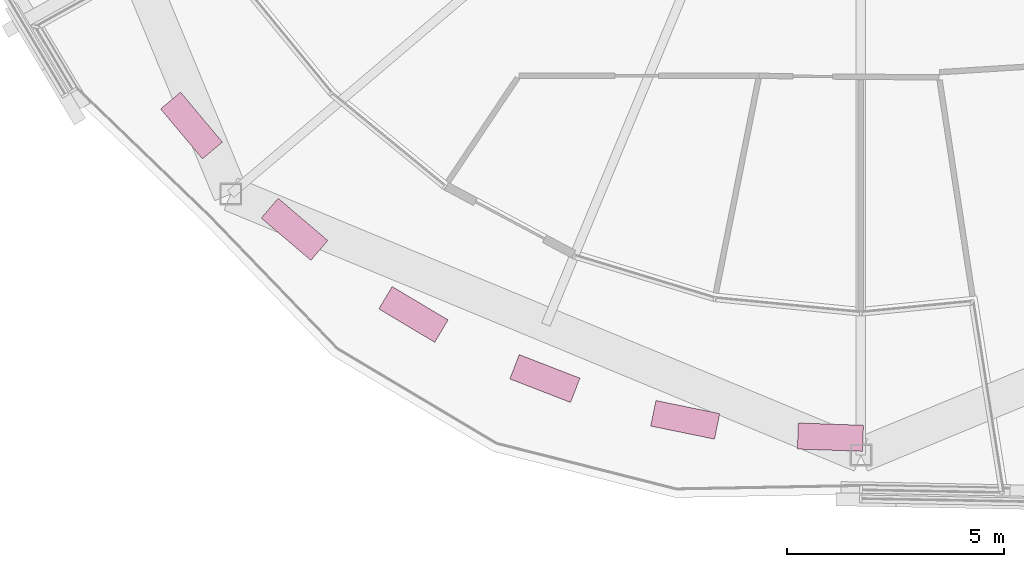
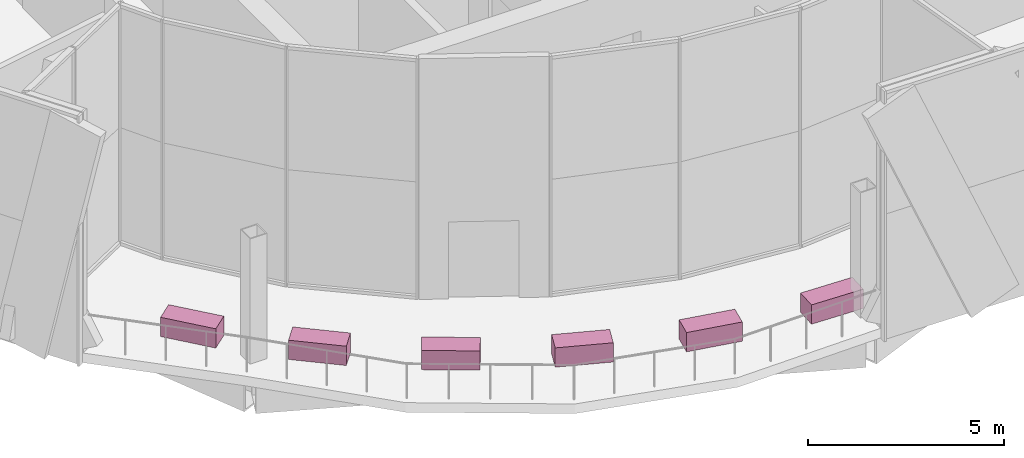
# One storey, part 27 of 27: 6 furniture elements.
"""IFC4 building model written with IfcOpenShell, lengths in metres."""

from ifc_helpers import new_model, si_unit, direction, frame, origin, origin_2d, place, context, subcontext, project, spatial, rectangle, extrude, material, type_object, element, save


model = new_model("IFC4")

# Units and contexts
model_context = context("Model", 3, precision=1e-05, world=origin(), true_north=direction((0.0, 1.0)))
body_context = subcontext(model_context, "Body", "Model", "MODEL_VIEW")
ifc_project = project(units=[si_unit("LENGTHUNIT", "METRE"), si_unit("AREAUNIT", "SQUARE_METRE"), si_unit("VOLUMEUNIT", "CUBIC_METRE"), si_unit("PLANEANGLEUNIT", "RADIAN"), si_unit("MASSUNIT", "GRAM", prefix="KILO")], contexts=[model_context])

# Site, building, storey
site_placement = place(None, origin())
site = spatial("IfcSite", under=ifc_project, at=site_placement, CompositionType="ELEMENT")
building_placement = place(site_placement, origin())
building = spatial("IfcBuilding", under=site, at=building_placement, Name="Ogive Gate Towers", CompositionType="ELEMENT")
storey_placement = place(building_placement, frame((0.0, 0.0, 189.0)))
storey = spatial("IfcBuildingStorey", under=building, at=storey_placement, Name="L45", CompositionType="ELEMENT", Elevation=189.0)

# Furniture
ifc_material = material(Name="Precast concrete C40/50", Category="concrete")
furniture_type = type_object("IfcFurnitureType", Name="Planter 1500 x 600", AssemblyPlace="NOTDEFINED", PredefinedType="USERDEFINED", material=ifc_material)
for number, where, z_axis, x_axis, name in (
    (1, (-51.412841796875, -12.932861328125, 0.0), (0.0, 0.0, 1.0), (0.642787609687, -0.766044443119, 0.0), "Planter"),
    (2, (-49.040283203125, -15.322265625, 0.0), (0.0, 0.0, 1.0), (0.761538307537, -0.648119901063, 0.0), "Planter"),
    (3, (-46.30224609375, -17.2822265625, 0.0), (0.0, 0.0, 1.0), (0.858959896931, -0.512042864871, 0.0), "Planter"),
    (4, (-43.27587890625, -18.75830078125, 0.0), (0.0, 0.0, 1.0), (0.932323801216, -0.361624570082, 0.0), "Planter"),
    (5, (-40.045654296875, -19.708984375, 0.0), (0.0, 0.0, 1.0), (0.979575249599, -0.201077921146, 0.0), "Planter"),
    (6, (-36.7021484375, -20.107666015625, 0.0), (0.0, 0.0, 1.0), (0.999390827019, -0.034899496703, 0.0), "Planter"),
):
    element("IfcFurniture", number, at=place(storey_placement, frame(where, z_axis=z_axis, x_axis=x_axis)), inside=storey, type_object=furniture_type, Name=name, ObjectType="PLANTER", PredefinedType="USERDEFINED", context=body_context, shape_type="SweptSolid", body=[
        extrude(rectangle(XDim=1.5, YDim=0.60009765625, at=origin_2d()), origin(), (0.0, 0.0, 1.0), 0.60009765625),
    ])

save(model, "model.ifc")
